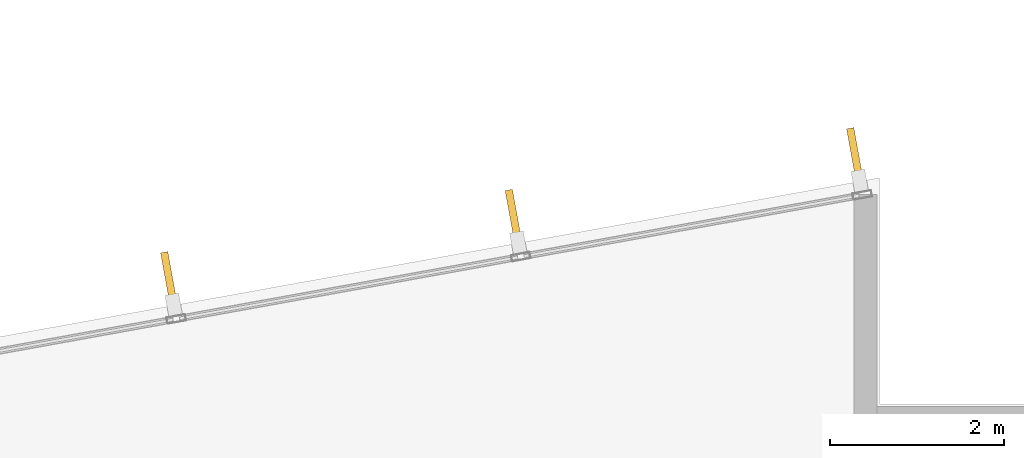
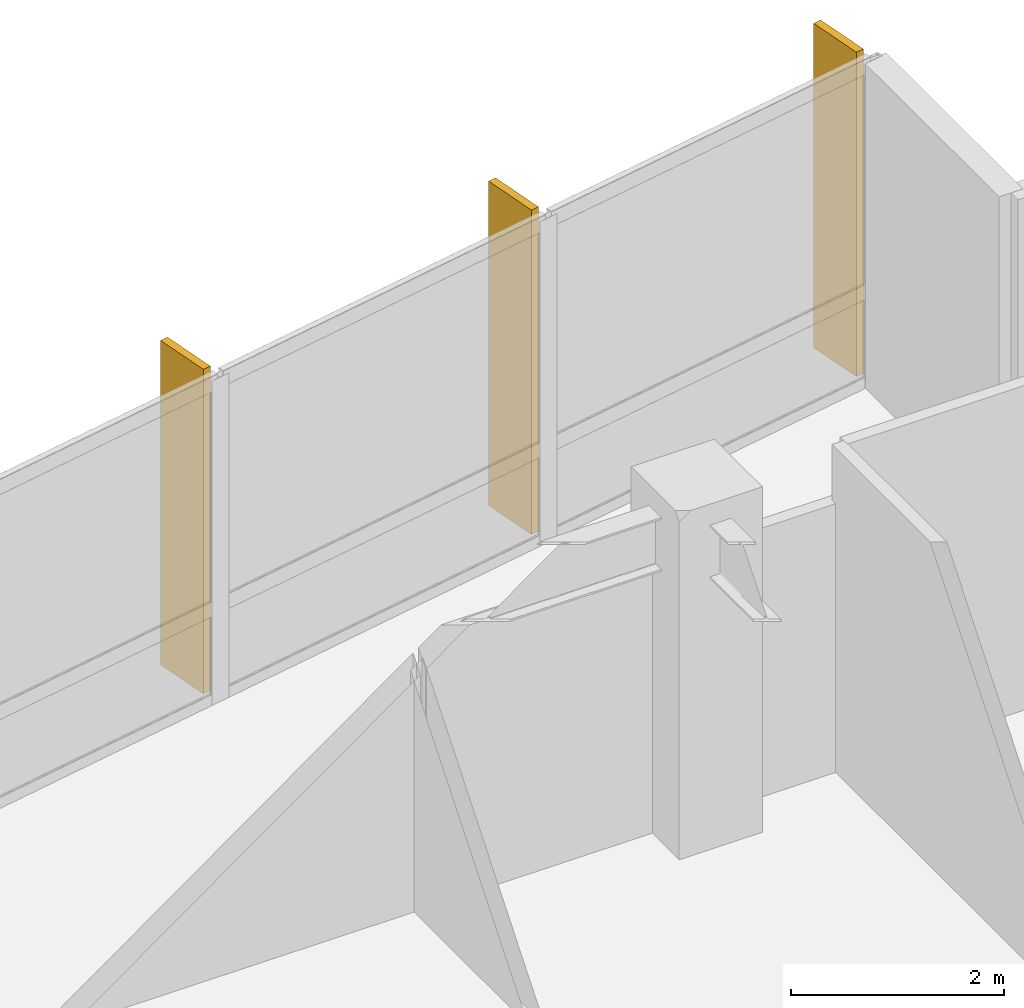
# One storey, part 19 of 19: 3 shading devices.
"""IFC4 building model written with IfcOpenShell, lengths in metres."""

from ifc_helpers import new_model, si_unit, direction, frame, origin, origin_2d, place, context, subcontext, project, spatial, rectangle, extrude, material, layer, layer_set, type_object, element, save


model = new_model("IFC4")

# Units and contexts
model_context = context("Model", 3, precision=1e-05, world=origin(), true_north=direction((0.0, 1.0)))
body_context = subcontext(model_context, "Body", "Model", "MODEL_VIEW")
ifc_project = project(units=[si_unit("LENGTHUNIT", "METRE"), si_unit("AREAUNIT", "SQUARE_METRE"), si_unit("VOLUMEUNIT", "CUBIC_METRE"), si_unit("PLANEANGLEUNIT", "RADIAN"), si_unit("MASSUNIT", "GRAM", prefix="KILO")], contexts=[model_context])

# Site, building, storey
site_placement = place(None, origin())
site = spatial("IfcSite", under=ifc_project, at=site_placement, CompositionType="ELEMENT")
building_placement = place(site_placement, origin())
building = spatial("IfcBuilding", under=site, at=building_placement, Name="Varnakote Quay Hospital", CompositionType="ELEMENT")
storey_placement = place(building_placement, frame((0.0, 0.0, 50.14990234375)))
storey = spatial("IfcBuildingStorey", under=building, at=storey_placement, Name="L12", CompositionType="ELEMENT", Elevation=50.14990234375)

# Shading devices
ifc_material = material(Name="Anodised aluminium 6063-T6 Bronze", Category="aluminium")
ifc_layer = layer(ifc_material, 0.0849609375)
ifc_layer_set = layer_set([ifc_layer], Name="Anodised aluminium 6063-T6 Bronze")
shading_device_type = type_object("IfcShadingDeviceType", Name="SHD-BRONZE-FIN-620", PredefinedType="USERDEFINED", material=ifc_layer_set)
for number, where, z_axis, x_axis, name in (
    (1, (55.319580078125, 34.664306640625, 0.0), (0.0, 0.0, 1.0), (0.177771795263, -0.984071739666, 0.0), "L12 Anodised Bronze Vertical Shading FIN"),
    (2, (51.393798828125, 33.954833984375, 0.0), (0.0, 0.0, 1.0), (0.177771795263, -0.984071739666, 0.0), "L12 Anodised Bronze Vertical Shading FIN"),
    (3, (47.43115234375, 33.23876953125, 0.0), (0.0, 0.0, 1.0), (0.177771795263, -0.984071739666, 0.0), "L12 Anodised Bronze Vertical Shading FIN"),
):
    element("IfcShadingDevice", number, at=place(storey_placement, frame(where, z_axis=z_axis, x_axis=x_axis)), inside=storey, type_object=shading_device_type, Name=name, ObjectType="FIN", PredefinedType="USERDEFINED", context=body_context, shape_type="SweptSolid", body=[
        extrude(rectangle(XDim=0.6201171875, YDim=0.0849609375, at=origin_2d()), origin(), (0.0, 0.0, 1.0), 3.7099609375),
    ])

save(model, "model.ifc")
